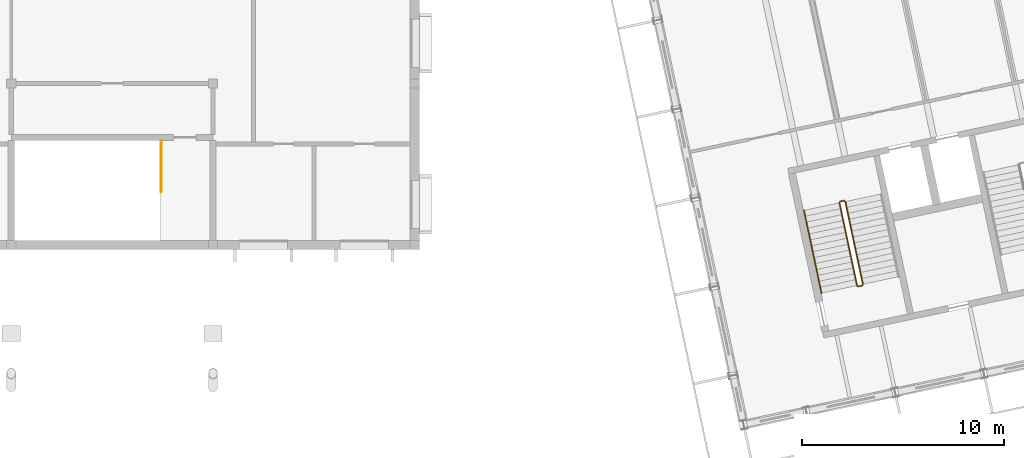
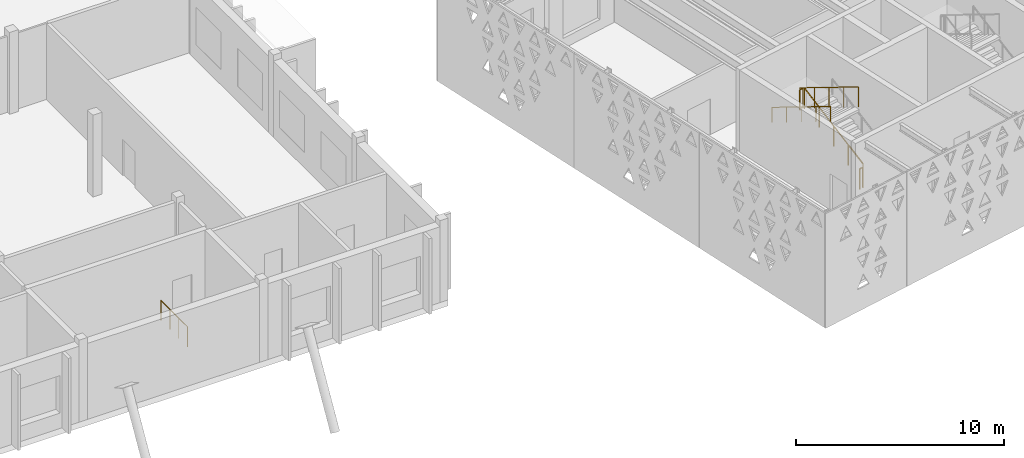
# One storey, part 168 of 182: 6 railings.
"""IFC4 building model written with IfcOpenShell, lengths in metres."""

from ifc_helpers import new_model, si_unit, direction, frame, origin, origin_2d, place, context, subcontext, project, spatial, circle, extrude, material, type_object, element, save


model = new_model("IFC4")

# Units and contexts
model_context = context("Model", 3, precision=1e-05, world=origin(), true_north=direction((0.0, 1.0)))
body_context = subcontext(model_context, "Body", "Model", "MODEL_VIEW")
ifc_project = project(units=[si_unit("LENGTHUNIT", "METRE"), si_unit("AREAUNIT", "SQUARE_METRE"), si_unit("VOLUMEUNIT", "CUBIC_METRE"), si_unit("PLANEANGLEUNIT", "RADIAN"), si_unit("MASSUNIT", "GRAM", prefix="KILO")], contexts=[model_context])

# Site, building, storey
site_placement = place(None, origin())
site = spatial("IfcSite", under=ifc_project, at=site_placement, CompositionType="ELEMENT")
building_placement = place(site_placement, origin())
building = spatial("IfcBuilding", under=site, at=building_placement, Name="Okhra Congress Centre", CompositionType="ELEMENT")
storey_placement = place(building_placement, frame((0.0, 0.0, 7.199951171875)))
storey = spatial("IfcBuildingStorey", under=building, at=storey_placement, Name="L01", CompositionType="ELEMENT", Elevation=7.199951171875)

# Railings
ifc_material_1 = material(Name="Painted steel tube handrail on wall brackets", Category="steel")
railing_type_1 = type_object("IfcRailingType", Name="Steel handrail 900", PredefinedType="HANDRAIL", material=ifc_material_1)
railing_1_placement = place(storey_placement, frame((65.28759765625, 37.711669921875, 2.56005859375)))
element("IfcRailing", 1, at=railing_1_placement, inside=storey, type_object=railing_type_1, Name="L01 BS1A stair handrail 2", PredefinedType="HANDRAIL", context=body_context, shape_type="SweptSolid", body=[
    extrude(circle(Radius=0.02392578125, at=origin_2d()), frame((0.0, 0.0, 0.8759765625), z_axis=(0.183466421502, -0.863066668889, 0.4705911147), x_axis=(0.978143927149, 0.207928972925, 0.0)), (0.0, 0.0, 1.0), 4.760009765625),
    extrude(circle(Radius=0.02099609375, at=origin_2d()), origin(), (0.0, 0.0, 1.0), 0.851806640625),
    extrude(circle(Radius=0.02099609375, at=origin_2d()), frame((0.21826171875, -1.027099609375, 0.56005859375)), (0.0, 0.0, 1.0), 0.851806640625),
    extrude(circle(Radius=0.02099609375, at=origin_2d()), frame((0.4365234375, -2.05419921875, 1.1201171875)), (0.0, 0.0, 1.0), 0.851806640625),
    extrude(circle(Radius=0.02099609375, at=origin_2d()), frame((0.655029296875, -3.0810546875, 1.679931640625)), (0.0, 0.0, 1.0), 0.851806640625),
    extrude(circle(Radius=0.02099609375, at=origin_2d()), frame((0.873291015625, -4.108154296875, 2.239990234375)), (0.0, 0.0, 1.0), 0.851806640625),
])
ifc_material_2 = material(Name="Painted steel tube guard with vertical steel balusters", Category="steel")
railing_type_2 = type_object("IfcRailingType", Name="Steel stair guard 1200", PredefinedType="GUARDRAIL", material=ifc_material_2)
railing_2_placement = place(storey_placement, frame((33.425048828125, 41.175048828125, 0.0)))
element("IfcRailing", 2, at=railing_2_placement, inside=storey, type_object=railing_type_2, Name="L01 R4 top well guard 1", PredefinedType="GUARDRAIL", context=body_context, shape_type="SweptSolid", body=[
    extrude(circle(Radius=0.02392578125, at=origin_2d()), frame((0.0, 0.0, 1.17578125), z_axis=(0.0, -1.0, 0.0), x_axis=(1.0, 0.0, 0.0)), (0.0, 0.0, 1.0), 2.550048828125),
    extrude(circle(Radius=0.02099609375, at=origin_2d()), origin(), (0.0, 0.0, 1.0), 1.15185546875),
    extrude(circle(Radius=0.02099609375, at=origin_2d()), frame((0.0, -0.85009765625, 0.0)), (0.0, 0.0, 1.0), 1.15185546875),
    extrude(circle(Radius=0.02099609375, at=origin_2d()), frame((0.0, -1.699951171875, 0.0)), (0.0, 0.0, 1.0), 1.15185546875),
    extrude(circle(Radius=0.02099609375, at=origin_2d()), frame((0.0, -2.550048828125, 0.0)), (0.0, 0.0, 1.0), 1.15185546875),
])
railing_3_placement = place(storey_placement, frame((68.215087890625, 34.0400390625, 0.16015625)))
element("IfcRailing", 3, at=railing_3_placement, inside=storey, type_object=railing_type_2, Name="L01 BS1A stair guard 1", PredefinedType="GUARDRAIL", context=body_context, shape_type="SweptSolid", body=[
    extrude(circle(Radius=0.02392578125, at=origin_2d()), frame((0.0, 0.0, 1.17578125), z_axis=(-0.183466421502, 0.863066668889, 0.4705911147), x_axis=(-0.978143927149, -0.207928972925, 0.0)), (0.0, 0.0, 1.0), 4.760009765625),
    extrude(circle(Radius=0.02099609375, at=origin_2d()), origin(), (0.0, 0.0, 1.0), 1.15185546875),
    extrude(circle(Radius=0.02099609375, at=origin_2d()), frame((-0.21826171875, 1.027099609375, 0.56005859375)), (0.0, 0.0, 1.0), 1.15185546875),
    extrude(circle(Radius=0.02099609375, at=origin_2d()), frame((-0.4365234375, 2.05419921875, 1.1201171875)), (0.0, 0.0, 1.0), 1.15185546875),
    extrude(circle(Radius=0.02099609375, at=origin_2d()), frame((-0.655029296875, 3.0810546875, 1.679931640625)), (0.0, 0.0, 1.0), 1.15185546875),
    extrude(circle(Radius=0.02099609375, at=origin_2d()), frame((-0.873291015625, 4.108154296875, 2.239990234375)), (0.0, 0.0, 1.0), 1.15185546875),
])
railing_4_placement = place(storey_placement, frame((67.282470703125, 38.186767578125, 2.400146484375)))
element("IfcRailing", 4, at=railing_4_placement, inside=storey, type_object=railing_type_2, Name="L01 BS1A stair guard 2", PredefinedType="GUARDRAIL", context=body_context, shape_type="SweptSolid", body=[
    extrude(circle(Radius=0.02392578125, at=origin_2d()), frame((0.0, 0.0, 1.17578125), z_axis=(-0.978211583308, -0.207610448392, 0.0), x_axis=(0.207610448392, -0.978211583308, 0.0)), (0.0, 0.0, 1.0), 0.199951171875),
    extrude(circle(Radius=0.02099609375, at=origin_2d()), origin(), (0.0, 0.0, 1.0), 1.15185546875),
    extrude(circle(Radius=0.02099609375, at=origin_2d()), frame((-0.195556640625, -0.04150390625, 0.0)), (0.0, 0.0, 1.0), 1.15185546875),
])
railing_5_placement = place(storey_placement, frame((67.04833984375, 38.0859375, 2.56005859375)))
element("IfcRailing", 5, at=railing_5_placement, inside=storey, type_object=railing_type_2, Name="L01 BS1A stair guard 3", PredefinedType="GUARDRAIL", context=body_context, shape_type="SweptSolid", body=[
    extrude(circle(Radius=0.02392578125, at=origin_2d()), frame((0.0, 0.0, 1.17578125), z_axis=(0.183466421502, -0.863066668889, 0.4705911147), x_axis=(0.978143927149, 0.207928972925, 0.0)), (0.0, 0.0, 1.0), 4.760009765625),
    extrude(circle(Radius=0.02099609375, at=origin_2d()), origin(), (0.0, 0.0, 1.0), 1.15185546875),
    extrude(circle(Radius=0.02099609375, at=origin_2d()), frame((0.21826171875, -1.027099609375, 0.56005859375)), (0.0, 0.0, 1.0), 1.15185546875),
    extrude(circle(Radius=0.02099609375, at=origin_2d()), frame((0.4365234375, -2.05419921875, 1.1201171875)), (0.0, 0.0, 1.0), 1.15185546875),
    extrude(circle(Radius=0.02099609375, at=origin_2d()), frame((0.655029296875, -3.0810546875, 1.679931640625)), (0.0, 0.0, 1.0), 1.15185546875),
    extrude(circle(Radius=0.02099609375, at=origin_2d()), frame((0.873291015625, -4.108154296875, 2.239990234375)), (0.0, 0.0, 1.0), 1.15185546875),
])
railing_6_placement = place(storey_placement, frame((68.176513671875, 33.980712890625, 0.0)))
element("IfcRailing", 6, at=railing_6_placement, inside=storey, type_object=railing_type_2, Name="L01 BS1A stair guard 4", PredefinedType="GUARDRAIL", context=body_context, shape_type="SweptSolid", body=[
    extrude(circle(Radius=0.02392578125, at=origin_2d()), frame((0.0, 0.0, 1.17578125), z_axis=(-0.978211583308, -0.207610448392, 0.0), x_axis=(0.207610448392, -0.978211583308, 0.0)), (0.0, 0.0, 1.0), 0.199951171875),
    extrude(circle(Radius=0.02099609375, at=origin_2d()), origin(), (0.0, 0.0, 1.0), 1.15185546875),
    extrude(circle(Radius=0.02099609375, at=origin_2d()), frame((-0.195556640625, -0.04150390625, 0.0)), (0.0, 0.0, 1.0), 1.15185546875),
])

save(model, "model.ifc")
